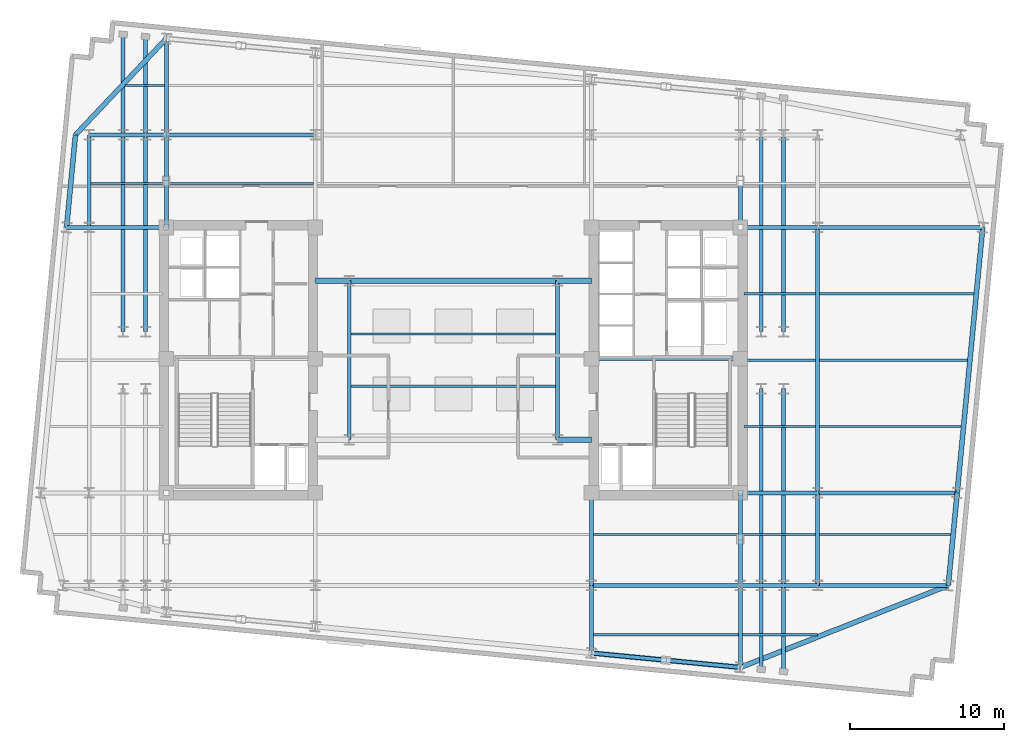
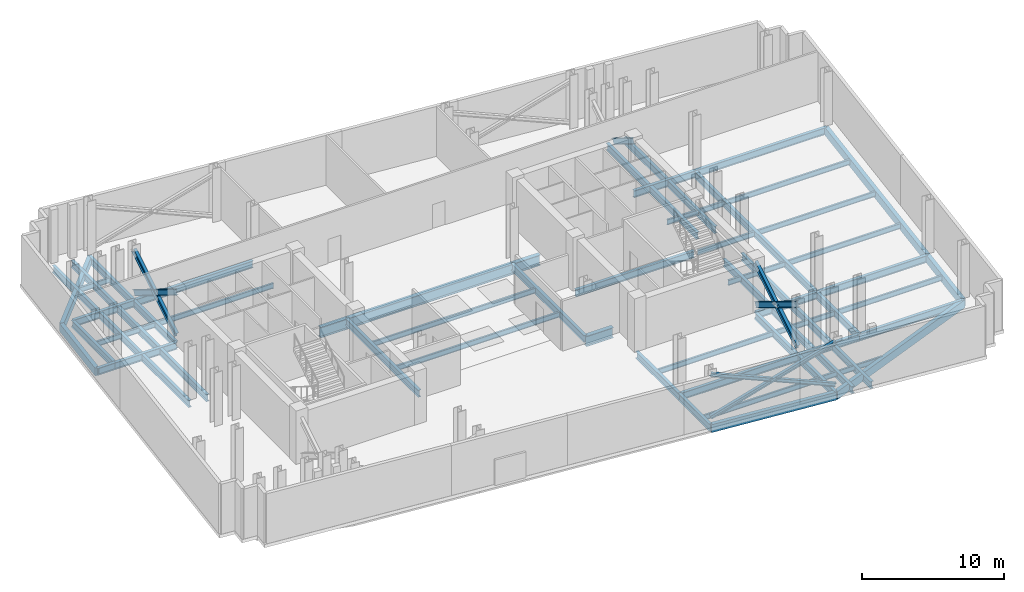
# One storey, part 2 of 8: 59 beams, 10 members.
"""IFC4 building model written with IfcOpenShell, lengths in metres."""

from ifc_helpers import new_model, si_unit, direction, frame, origin, origin_2d, place, context, subcontext, project, spatial, rectangle, i_section, extrude, material, material_profile, profile_set, type_object, element, save


model = new_model("IFC4")

# Units and contexts
model_context = context("Model", 3, precision=1e-05, world=origin(), true_north=direction((0.0, 1.0)))
body_context = subcontext(model_context, "Body", "Model", "MODEL_VIEW")
ifc_project = project(units=[si_unit("LENGTHUNIT", "METRE"), si_unit("AREAUNIT", "SQUARE_METRE"), si_unit("VOLUMEUNIT", "CUBIC_METRE"), si_unit("PLANEANGLEUNIT", "RADIAN"), si_unit("MASSUNIT", "GRAM", prefix="KILO")], contexts=[model_context])

# Site, building, storey
site_placement = place(None, origin())
site = spatial("IfcSite", under=ifc_project, at=site_placement, CompositionType="ELEMENT")
building_placement = place(site_placement, origin())
building = spatial("IfcBuilding", under=site, at=building_placement, Name="Velakula Bourse", CompositionType="ELEMENT")
storey_placement = place(building_placement, frame((0.0, 0.0, 194.89990234375)))
storey = spatial("IfcBuildingStorey", under=building, at=storey_placement, Name="L53", CompositionType="ELEMENT", Elevation=194.89990234375)

# Beams
ifc_material_1 = material(Name="Steel IS 2062 Grade 350 (E350)", Category="steel")
ifc_material_profile_1 = material_profile(ifc_material_1, i_section(OverallWidth=0.25, OverallDepth=0.60009765625, WebThickness=0.01123046875, FlangeThickness=0.021240234375, at=origin_2d()), Name="Steel IS 2062 Grade 350 (E350)")
ifc_profile_set_1 = profile_set([ifc_material_profile_1], Name="Steel IS 2062 Grade 350 (E350)")
beam_type_1 = type_object("IfcBeamType", Name="BM-GRD-600M", PredefinedType="BEAM", material=ifc_profile_set_1)
beam_1_placement = place(storey_placement, frame((8.949951171875, 0.10009765625, -0.579833984375), z_axis=(1.0, 0.0, 0.0), x_axis=(0.0, 1.0, 0.0)))
element("IfcBeam", 1, at=beam_1_placement, inside=storey, type_object=beam_type_1, Name="L53 Primary Backbone Girder CRE-M", PredefinedType="BEAM", context=body_context, shape_type="SweptSolid", body=[
    extrude(i_section(OverallWidth=0.25, OverallDepth=0.60009765625, WebThickness=0.01123046875, FlangeThickness=0.021240234375, at=origin_2d()), origin(), (0.0, 0.0, 1.0), 9.650146484375),
])
for number, where, z_axis, x_axis, name in (
    (2, (-6.75, -5.14990234375, -0.579833984375), (0.0, 1.0, 0.0), (-1.0, 0.0, 0.0), "L53 Primary Backbone Girder SPN-W"),
    (3, (6.75, -5.14990234375, -0.579833984375), (0.0, 1.0, 0.0), (-1.0, 0.0, 0.0), "L53 Primary Backbone Girder SPN-E"),
):
    element("IfcBeam", number, at=place(storey_placement, frame(where, z_axis=z_axis, x_axis=x_axis)), inside=storey, type_object=beam_type_1, Name=name, PredefinedType="BEAM", context=body_context, shape_type="SweptSolid", body=[
        extrude(i_section(OverallWidth=0.25, OverallDepth=0.60009765625, WebThickness=0.01123046875, FlangeThickness=0.021240234375, at=origin_2d()), origin(), (0.0, 0.0, 1.0), 10.2998046875),
    ])
for number, where, z_axis, x_axis, name in (
    (4, (-18.60009765625, 8.60009765625, -0.579833984375), (0.0, 1.0, 0.0), (-1.0, 0.0, 0.0), "L53 Fulcrum Grid Girder FLC-WN"),
    (5, (8.949951171875, -14.60009765625, -0.579833984375), (0.0, 1.0, 0.0), (-1.0, 0.0, 0.0), "L53 Fulcrum Grid Girder FLC-ECS"),
    (6, (18.60009765625, -14.60009765625, -0.579833984375), (0.0, 1.0, 0.0), (-1.0, 0.0, 0.0), "L53 Fulcrum Grid Girder FLC-ES"),
):
    element("IfcBeam", number, at=place(storey_placement, frame(where, z_axis=z_axis, x_axis=x_axis)), inside=storey, type_object=beam_type_1, Name=name, PredefinedType="BEAM", context=body_context, shape_type="SweptSolid", body=[
        extrude(i_section(OverallWidth=0.25, OverallDepth=0.60009765625, WebThickness=0.01123046875, FlangeThickness=0.021240234375, at=origin_2d()), origin(), (0.0, 0.0, 1.0), 6.0),
    ])
for number, where, z_axis, x_axis, name in (
    (7, (8.949951171875, -14.60009765625, -0.579833984375), (1.0, 0.0, 0.0), (0.0, 1.0, 0.0), "L53 Fulcrum Grid Girder FLC-S3"),
    (8, (-18.60009765625, 14.60009765625, -0.579833984375), (1.0, 0.0, 0.0), (0.0, 1.0, 0.0), "L53 Fulcrum Grid Girder FLC-N1"),
):
    element("IfcBeam", number, at=place(storey_placement, frame(where, z_axis=z_axis, x_axis=x_axis)), inside=storey, type_object=beam_type_1, Name=name, PredefinedType="BEAM", context=body_context, shape_type="SweptSolid", body=[
        extrude(i_section(OverallWidth=0.25, OverallDepth=0.60009765625, WebThickness=0.01123046875, FlangeThickness=0.021240234375, at=origin_2d()), origin(), (0.0, 0.0, 1.0), 9.650146484375),
    ])
for number, where, z_axis, x_axis, name in (
    (9, (-21.39990234375, 1.85009765625, -0.579833984375), (0.0, 1.0, 0.0), (-1.0, 0.0, 0.0), "L53 Fulcrum Grid Girder FLC-PNW1"),
    (10, (-19.949951171875, 1.85009765625, -0.579833984375), (0.0, 1.0, 0.0), (-1.0, 0.0, 0.0), "L53 Fulcrum Grid Girder FLC-PNW2"),
    (11, (19.949951171875, -14.60009765625, -0.579833984375), (0.0, 1.0, 0.0), (-1.0, 0.0, 0.0), "L53 Fulcrum Grid Girder FLC-PSE1"),
    (12, (19.949951171875, 1.85009765625, -0.579833984375), (0.0, 1.0, 0.0), (-1.0, 0.0, 0.0), "L53 Fulcrum Grid Girder FLC-PNE1"),
    (13, (21.39990234375, -14.60009765625, -0.579833984375), (0.0, 1.0, 0.0), (-1.0, 0.0, 0.0), "L53 Fulcrum Grid Girder FLC-PSE2"),
    (14, (21.39990234375, 1.85009765625, -0.579833984375), (0.0, 1.0, 0.0), (-1.0, 0.0, 0.0), "L53 Fulcrum Grid Girder FLC-PNE2"),
):
    element("IfcBeam", number, at=place(storey_placement, frame(where, z_axis=z_axis, x_axis=x_axis)), inside=storey, type_object=beam_type_1, Name=name, PredefinedType="BEAM", context=body_context, shape_type="SweptSolid", body=[
        extrude(i_section(OverallWidth=0.25, OverallDepth=0.60009765625, WebThickness=0.01123046875, FlangeThickness=0.021240234375, at=origin_2d()), origin(), (0.0, 0.0, 1.0), 12.75),
    ])
for number, where, z_axis, x_axis, name in (
    (15, (-23.60009765625, 8.60009765625, -0.579833984375), (1.0, 0.0, 0.0), (0.0, 1.0, 0.0), "L53 Fulcrum Grid Girder MWG-WN1"),
    (16, (-23.60009765625, 14.60009765625, -0.579833984375), (1.0, 0.0, 0.0), (0.0, 1.0, 0.0), "L53 Fulcrum Grid Girder MWG-WN2"),
):
    element("IfcBeam", number, at=place(storey_placement, frame(where, z_axis=z_axis, x_axis=x_axis)), inside=storey, type_object=beam_type_1, Name=name, PredefinedType="BEAM", context=body_context, shape_type="SweptSolid", body=[
        extrude(i_section(OverallWidth=0.25, OverallDepth=0.60009765625, WebThickness=0.01123046875, FlangeThickness=0.021240234375, at=origin_2d()), origin(), (0.0, 0.0, 1.0), 5.0),
    ])
beam_2_placement = place(storey_placement, frame((-23.60009765625, 8.60009765625, -0.579833984375), z_axis=(0.0, 1.0, 0.0), x_axis=(-1.0, 0.0, 0.0)))
element("IfcBeam", 17, at=beam_2_placement, inside=storey, type_object=beam_type_1, Name="L53 Fulcrum Grid Girder MWG-WNS3", PredefinedType="BEAM", context=body_context, shape_type="SweptSolid", body=[
    extrude(i_section(OverallWidth=0.25, OverallDepth=0.60009765625, WebThickness=0.01123046875, FlangeThickness=0.021240234375, at=origin_2d()), origin(), (0.0, 0.0, 1.0), 6.0),
])
for number, where, z_axis, x_axis, name in (
    (18, (18.60009765625, -14.60009765625, -0.579833984375), (1.0, 0.0, 0.0), (0.0, 1.0, 0.0), "L53 Fulcrum Grid Girder MWG-ES1"),
    (19, (18.60009765625, -8.60009765625, -0.579833984375), (1.0, 0.0, 0.0), (0.0, 1.0, 0.0), "L53 Fulcrum Grid Girder MWG-ES2"),
    (20, (18.60009765625, 8.60009765625, -0.579833984375), (1.0, 0.0, 0.0), (0.0, 1.0, 0.0), "L53 Fulcrum Grid Girder MWG-EN1"),
):
    element("IfcBeam", number, at=place(storey_placement, frame(where, z_axis=z_axis, x_axis=x_axis)), inside=storey, type_object=beam_type_1, Name=name, PredefinedType="BEAM", context=body_context, shape_type="SweptSolid", body=[
        extrude(i_section(OverallWidth=0.25, OverallDepth=0.60009765625, WebThickness=0.01123046875, FlangeThickness=0.021240234375, at=origin_2d()), origin(), (0.0, 0.0, 1.0), 5.0),
    ])
beam_3_placement = place(storey_placement, frame((23.60009765625, -14.60009765625, -0.579833984375), z_axis=(0.0, 1.0, 0.0), x_axis=(-1.0, 0.0, 0.0)))
element("IfcBeam", 21, at=beam_3_placement, inside=storey, type_object=beam_type_1, Name="L53 Fulcrum Grid Girder MWG-ENS1", PredefinedType="BEAM", context=body_context, shape_type="SweptSolid", body=[
    extrude(i_section(OverallWidth=0.25, OverallDepth=0.60009765625, WebThickness=0.01123046875, FlangeThickness=0.021240234375, at=origin_2d()), origin(), (0.0, 0.0, 1.0), 6.0),
])
beam_4_placement = place(storey_placement, frame((23.60009765625, -8.60009765625, -0.579833984375), z_axis=(0.0, 1.0, 0.0), x_axis=(-1.0, 0.0, 0.0)))
element("IfcBeam", 22, at=beam_4_placement, inside=storey, type_object=beam_type_1, Name="L53 Fulcrum Grid Girder MWG-ENS2", PredefinedType="BEAM", context=body_context, shape_type="SweptSolid", body=[
    extrude(i_section(OverallWidth=0.25, OverallDepth=0.60009765625, WebThickness=0.01123046875, FlangeThickness=0.021240234375, at=origin_2d()), origin(), (0.0, 0.0, 1.0), 17.2001953125),
])
beam_5_placement = place(storey_placement, frame((8.949951171875, -14.60009765625, -0.579833984375), z_axis=(0.0, -1.0, 0.0), x_axis=(1.0, 0.0, 0.0)))
element("IfcBeam", 23, at=beam_5_placement, inside=storey, type_object=beam_type_1, Name="L53 Perimeter Tie Girder S3", PredefinedType="BEAM", context=body_context, shape_type="SweptSolid", body=[
    extrude(i_section(OverallWidth=0.25, OverallDepth=0.60009765625, WebThickness=0.01123046875, FlangeThickness=0.021240234375, at=origin_2d()), origin(), (0.0, 0.0, 1.0), 4.38134765625),
])
beam_6_placement = place(storey_placement, frame((18.60009765625, -14.60009765625, -0.579833984375), z_axis=(0.0, -1.0, 0.0), x_axis=(1.0, 0.0, 0.0)))
element("IfcBeam", 24, at=beam_6_placement, inside=storey, type_object=beam_type_1, Name="L53 Perimeter Tie Girder S4", PredefinedType="BEAM", context=body_context, shape_type="SweptSolid", body=[
    extrude(i_section(OverallWidth=0.25, OverallDepth=0.60009765625, WebThickness=0.01123046875, FlangeThickness=0.021240234375, at=origin_2d()), origin(), (0.0, 0.0, 1.0), 5.310546875),
])
beam_7_placement = place(storey_placement, frame((-18.60009765625, 14.60009765625, -0.579833984375), z_axis=(0.0, 1.0, 0.0), x_axis=(-1.0, 0.0, 0.0)))
element("IfcBeam", 25, at=beam_7_placement, inside=storey, type_object=beam_type_1, Name="L53 Perimeter Tie Girder N1", PredefinedType="BEAM", context=body_context, shape_type="SweptSolid", body=[
    extrude(i_section(OverallWidth=0.25, OverallDepth=0.60009765625, WebThickness=0.01123046875, FlangeThickness=0.021240234375, at=origin_2d()), origin(), (0.0, 0.0, 1.0), 6.2421875),
])
beam_8_placement = place(storey_placement, frame((-23.60009765625, 8.60009765625, -0.579833984375), z_axis=(-1.0, 0.0, 0.0), x_axis=(0.0, -1.0, 0.0)))
element("IfcBeam", 26, at=beam_8_placement, inside=storey, type_object=beam_type_1, Name="L53 Perimeter Tie Girder W3", PredefinedType="BEAM", context=body_context, shape_type="SweptSolid", body=[
    extrude(i_section(OverallWidth=0.25, OverallDepth=0.60009765625, WebThickness=0.01123046875, FlangeThickness=0.021240234375, at=origin_2d()), origin(), (0.0, 0.0, 1.0), 1.468017578125),
])
beam_9_placement = place(storey_placement, frame((23.60009765625, -14.60009765625, -0.579833984375), z_axis=(1.0, 0.0, 0.0), x_axis=(0.0, 1.0, 0.0)))
element("IfcBeam", 27, at=beam_9_placement, inside=storey, type_object=beam_type_1, Name="L53 Perimeter Tie Girder E1", PredefinedType="BEAM", context=body_context, shape_type="SweptSolid", body=[
    extrude(i_section(OverallWidth=0.25, OverallDepth=0.60009765625, WebThickness=0.01123046875, FlangeThickness=0.021240234375, at=origin_2d()), origin(), (0.0, 0.0, 1.0), 8.47119140625),
])
beam_10_placement = place(storey_placement, frame((23.60009765625, -8.60009765625, -0.579833984375), z_axis=(1.0, 0.0, 0.0), x_axis=(0.0, 1.0, 0.0)))
element("IfcBeam", 28, at=beam_10_placement, inside=storey, type_object=beam_type_1, Name="L53 Perimeter Tie Girder E2", PredefinedType="BEAM", context=body_context, shape_type="SweptSolid", body=[
    extrude(i_section(OverallWidth=0.25, OverallDepth=0.60009765625, WebThickness=0.01123046875, FlangeThickness=0.021240234375, at=origin_2d()), origin(), (0.0, 0.0, 1.0), 9.048828125),
])
beam_11_placement = place(storey_placement, frame((23.60009765625, 8.60009765625, -0.579833984375), z_axis=(1.0, 0.0, 0.0), x_axis=(0.0, 1.0, 0.0)))
element("IfcBeam", 29, at=beam_11_placement, inside=storey, type_object=beam_type_1, Name="L53 Perimeter Tie Girder E3", PredefinedType="BEAM", context=body_context, shape_type="SweptSolid", body=[
    extrude(i_section(OverallWidth=0.25, OverallDepth=0.60009765625, WebThickness=0.01123046875, FlangeThickness=0.021240234375, at=origin_2d()), origin(), (0.0, 0.0, 1.0), 10.705078125),
])
beam_12_placement = place(storey_placement, frame((19.949951171875, -14.60009765625, -0.579833984375), z_axis=(0.0, -1.0, 0.0), x_axis=(1.0, 0.0, 0.0)))
element("IfcBeam", 30, at=beam_12_placement, inside=storey, type_object=beam_type_1, Name="L53 Perimeter Tie Girder P03", PredefinedType="BEAM", context=body_context, shape_type="SweptSolid", body=[
    extrude(i_section(OverallWidth=0.25, OverallDepth=0.60009765625, WebThickness=0.01123046875, FlangeThickness=0.021240234375, at=origin_2d()), origin(), (0.0, 0.0, 1.0), 5.4404296875),
])
beam_13_placement = place(storey_placement, frame((21.39990234375, -14.60009765625, -0.579833984375), z_axis=(0.0, -1.0, 0.0), x_axis=(1.0, 0.0, 0.0)))
element("IfcBeam", 31, at=beam_13_placement, inside=storey, type_object=beam_type_1, Name="L53 Perimeter Tie Girder P04", PredefinedType="BEAM", context=body_context, shape_type="SweptSolid", body=[
    extrude(i_section(OverallWidth=0.25, OverallDepth=0.60009765625, WebThickness=0.01123046875, FlangeThickness=0.021240234375, at=origin_2d()), origin(), (0.0, 0.0, 1.0), 5.580322265625),
])
beam_14_placement = place(storey_placement, frame((-21.39990234375, 14.60009765625, -0.579833984375), z_axis=(0.0, 1.0, 0.0), x_axis=(-1.0, 0.0, 0.0)))
element("IfcBeam", 32, at=beam_14_placement, inside=storey, type_object=beam_type_1, Name="L53 Perimeter Tie Girder P05", PredefinedType="BEAM", context=body_context, shape_type="SweptSolid", body=[
    extrude(i_section(OverallWidth=0.25, OverallDepth=0.60009765625, WebThickness=0.01123046875, FlangeThickness=0.021240234375, at=origin_2d()), origin(), (0.0, 0.0, 1.0), 6.511962890625),
])
beam_15_placement = place(storey_placement, frame((-19.949951171875, 14.60009765625, -0.579833984375), z_axis=(0.0, 1.0, 0.0), x_axis=(-1.0, 0.0, 0.0)))
element("IfcBeam", 33, at=beam_15_placement, inside=storey, type_object=beam_type_1, Name="L53 Perimeter Tie Girder P06", PredefinedType="BEAM", context=body_context, shape_type="SweptSolid", body=[
    extrude(i_section(OverallWidth=0.25, OverallDepth=0.60009765625, WebThickness=0.01123046875, FlangeThickness=0.021240234375, at=origin_2d()), origin(), (0.0, 0.0, 1.0), 6.372314453125),
])
ifc_material_profile_2 = material_profile(ifc_material_1, i_section(OverallWidth=0.35009765625, OverallDepth=0.89990234375, WebThickness=0.02001953125, FlangeThickness=0.031982421875, at=origin_2d()), Name="Steel IS 2062 Grade 350 (E350)")
ifc_profile_set_2 = profile_set([ifc_material_profile_2], Name="Steel IS 2062 Grade 350 (E350)")
beam_type_2 = type_object("IfcBeamType", Name="BM-LNK-900", PredefinedType="BEAM", material=ifc_profile_set_2)
for number, where, z_axis, x_axis, name in (
    (34, (6.75, -5.14990234375, -0.72998046875), (1.0, 0.0, 0.0), (0.0, 1.0, 0.0), "L53 Primary Backbone Girder LNK-S3"),
    (35, (-8.949951171875, 5.14990234375, -0.72998046875), (1.0, 0.0, 0.0), (0.0, 1.0, 0.0), "L53 Primary Backbone Girder LNK-N1"),
):
    element("IfcBeam", number, at=place(storey_placement, frame(where, z_axis=z_axis, x_axis=x_axis)), inside=storey, type_object=beam_type_2, Name=name, PredefinedType="BEAM", context=body_context, shape_type="SweptSolid", body=[
        extrude(i_section(OverallWidth=0.35009765625, OverallDepth=0.89990234375, WebThickness=0.02001953125, FlangeThickness=0.031982421875, at=origin_2d()), origin(), (0.0, 0.0, 1.0), 2.199951171875),
    ])
beam_16_placement = place(storey_placement, frame((-6.75, 5.14990234375, -0.72998046875), z_axis=(1.0, 0.0, 0.0), x_axis=(0.0, 1.0, 0.0)))
element("IfcBeam", 36, at=beam_16_placement, inside=storey, type_object=beam_type_2, Name="L53 Primary Backbone Girder LNK-N2", PredefinedType="BEAM", context=body_context, shape_type="SweptSolid", body=[
    extrude(i_section(OverallWidth=0.35009765625, OverallDepth=0.89990234375, WebThickness=0.02001953125, FlangeThickness=0.031982421875, at=origin_2d()), origin(), (0.0, 0.0, 1.0), 13.5),
])
beam_17_placement = place(storey_placement, frame((6.75, 5.14990234375, -0.72998046875), z_axis=(1.0, 0.0, 0.0), x_axis=(0.0, 1.0, 0.0)))
element("IfcBeam", 37, at=beam_17_placement, inside=storey, type_object=beam_type_2, Name="L53 Primary Backbone Girder LNK-N3", PredefinedType="BEAM", context=body_context, shape_type="SweptSolid", body=[
    extrude(i_section(OverallWidth=0.35009765625, OverallDepth=0.89990234375, WebThickness=0.02001953125, FlangeThickness=0.031982421875, at=origin_2d()), origin(), (0.0, 0.0, 1.0), 2.199951171875),
])

# Members
ifc_material_profile_3 = material_profile(ifc_material_1, i_section(OverallWidth=0.25, OverallDepth=0.300048828125, WebThickness=0.009521484375, FlangeThickness=0.010498046875, at=origin_2d()), Name="Steel IS 2062 Grade 350 (E350)")
ifc_profile_set_3 = profile_set([ifc_material_profile_3], Name="Steel IS 2062 Grade 350 (E350)")
member_type_1 = type_object("IfcMemberType", Name="BR-BLT-300", PredefinedType="BRACE", material=ifc_profile_set_3)
member_1_placement = place(storey_placement, frame((8.949951171875, -18.9814453125, 0.300048828125), z_axis=(0.930920935932, -0.089637085591, 0.35405000202), x_axis=(0.095845323155, 0.99539623971, 0.0)))
element("IfcMember", 38, at=member_1_placement, inside=storey, type_object=member_type_1, Name="L53 Continuous Outrigger and Belt X-Brace BT-S3", PredefinedType="BRACE", context=body_context, shape_type="SweptSolid", body=[
    extrude(i_section(OverallWidth=0.25, OverallDepth=0.300048828125, WebThickness=0.009521484375, FlangeThickness=0.010498046875, at=origin_2d()), origin(), (0.0, 0.0, 1.0), 10.3662109375),
])
for number, where, z_axis, x_axis, name in (
    (39, (18.60009765625, -19.91064453125, 0.300048828125), (-0.930928983109, 0.08965577102, 0.354024110945), (-0.095864298069, -0.99539441246, 0.0), "L53 Split X-Brace Lower Segment BT-S4A"),
    (40, (13.644775390625, -19.43359375, 2.1845703125), (-0.930913027801, 0.089654234399, 0.354066452696), (-0.095864298069, -0.99539441246, 0.0), "L53 Split X-Brace Upper Segment BT-S4B"),
):
    element("IfcMember", number, at=place(storey_placement, frame(where, z_axis=z_axis, x_axis=x_axis)), inside=storey, type_object=member_type_1, Name=name, PredefinedType="BRACE", context=body_context, shape_type="SweptSolid", body=[
        extrude(i_section(OverallWidth=0.25, OverallDepth=0.300048828125, WebThickness=0.009521484375, FlangeThickness=0.010498046875, at=origin_2d()), origin(), (0.0, 0.0, 1.0), 5.043212890625),
    ])
ifc_material_profile_4 = material_profile(ifc_material_1, i_section(OverallWidth=0.25, OverallDepth=0.449951171875, WebThickness=0.01123046875, FlangeThickness=0.013671875, at=origin_2d()), Name="Steel IS 2062 Grade 350 (E350)")
ifc_profile_set_4 = profile_set([ifc_material_profile_4], Name="Steel IS 2062 Grade 350 (E350)")
member_type_2 = type_object("IfcMemberType", Name="BR-OTR-450", PredefinedType="BRACE", material=ifc_profile_set_4)
member_2_placement = place(storey_placement, frame((-18.60009765625, 8.60009765625, 0.300048828125), z_axis=(0.0, 0.853060385643, 0.521812206111), x_axis=(-1.0, 0.0, 0.0)))
element("IfcMember", 41, at=member_2_placement, inside=storey, type_object=member_type_2, Name="L53 Continuous Outrigger and Belt X-Brace OT-NS3", PredefinedType="BRACE", context=body_context, shape_type="SweptSolid", body=[
    extrude(i_section(OverallWidth=0.25, OverallDepth=0.449951171875, WebThickness=0.01123046875, FlangeThickness=0.013671875, at=origin_2d()), origin(), (0.0, 0.0, 1.0), 7.033447265625),
])
member_3_placement = place(storey_placement, frame((-18.60009765625, 14.60009765625, 0.300048828125), z_axis=(0.0, -0.853072662482, 0.521792135362), x_axis=(1.0, 0.0, 0.0)))
element("IfcMember", 42, at=member_3_placement, inside=storey, type_object=member_type_2, Name="L53 Split X-Brace Lower Segment OT-NS4A", PredefinedType="BRACE", context=body_context, shape_type="SweptSolid", body=[
    extrude(i_section(OverallWidth=0.25, OverallDepth=0.449951171875, WebThickness=0.01123046875, FlangeThickness=0.013671875, at=origin_2d()), origin(), (0.0, 0.0, 1.0), 3.376708984375),
])
member_4_placement = place(storey_placement, frame((-18.60009765625, 11.48046875, 2.208251953125), z_axis=(0.0, -0.85305297564, 0.521824319816), x_axis=(1.0, 0.0, 0.0)))
element("IfcMember", 43, at=member_4_placement, inside=storey, type_object=member_type_2, Name="L53 Split X-Brace Upper Segment OT-NS4B", PredefinedType="BRACE", context=body_context, shape_type="SweptSolid", body=[
    extrude(i_section(OverallWidth=0.25, OverallDepth=0.449951171875, WebThickness=0.01123046875, FlangeThickness=0.013671875, at=origin_2d()), origin(), (0.0, 0.0, 1.0), 3.37646484375),
])
member_5_placement = place(storey_placement, frame((18.60009765625, -8.60009765625, 0.300048828125), z_axis=(0.0, -0.853060385643, 0.521812206111), x_axis=(1.0, 0.0, 0.0)))
element("IfcMember", 44, at=member_5_placement, inside=storey, type_object=member_type_2, Name="L53 Continuous Outrigger and Belt X-Brace OT-NS5", PredefinedType="BRACE", context=body_context, shape_type="SweptSolid", body=[
    extrude(i_section(OverallWidth=0.25, OverallDepth=0.449951171875, WebThickness=0.01123046875, FlangeThickness=0.013671875, at=origin_2d()), origin(), (0.0, 0.0, 1.0), 7.033447265625),
])
member_6_placement = place(storey_placement, frame((18.60009765625, -14.60009765625, 0.300048828125), z_axis=(0.0, 0.853072662482, 0.521792135362), x_axis=(-1.0, 0.0, 0.0)))
element("IfcMember", 45, at=member_6_placement, inside=storey, type_object=member_type_2, Name="L53 Split X-Brace Lower Segment OT-NS6A", PredefinedType="BRACE", context=body_context, shape_type="SweptSolid", body=[
    extrude(i_section(OverallWidth=0.25, OverallDepth=0.449951171875, WebThickness=0.01123046875, FlangeThickness=0.013671875, at=origin_2d()), origin(), (0.0, 0.0, 1.0), 3.376708984375),
])
for number, where, z_axis, x_axis, name in (
    (46, (18.60009765625, -11.48046875, 2.208251953125), (0.0, 0.85305297564, 0.521824319816), (-1.0, 0.0, 0.0), "L53 Split X-Brace Upper Segment OT-NS6B"),
    (47, (18.60009765625, 11.48046875, 2.208251953125), (0.0, -0.85305297564, 0.521824319816), (1.0, 0.0, 0.0), "L53 Split X-Brace Upper Segment OT-NS8B"),
):
    element("IfcMember", number, at=place(storey_placement, frame(where, z_axis=z_axis, x_axis=x_axis)), inside=storey, type_object=member_type_2, Name=name, PredefinedType="BRACE", context=body_context, shape_type="SweptSolid", body=[
        extrude(i_section(OverallWidth=0.25, OverallDepth=0.449951171875, WebThickness=0.01123046875, FlangeThickness=0.013671875, at=origin_2d()), origin(), (0.0, 0.0, 1.0), 3.37646484375),
    ])

# Beams
ifc_material_profile_5 = material_profile(ifc_material_1, i_section(OverallWidth=0.14990234375, OverallDepth=0.449951171875, WebThickness=0.009521484375, FlangeThickness=0.017333984375, at=origin_2d()), Name="Steel IS 2062 Grade 350 (E350)")
ifc_profile_set_5 = profile_set([ifc_material_profile_5], Name="Steel IS 2062 Grade 350 (E350)")
beam_type_3 = type_object("IfcBeamType", Name="JST-TWR-450", PredefinedType="JOIST", material=ifc_profile_set_5)
beam_18_placement = place(storey_placement, frame((9.074951171875, -17.800048828125, -0.5048828125), z_axis=(1.0, 0.0, 0.0), x_axis=(0.0, 1.0, 0.0)))
element("IfcBeam", 48, at=beam_18_placement, inside=storey, type_object=beam_type_3, Name="L53 Trading Floor Composite Joist 02", PredefinedType="JOIST", context=body_context, shape_type="SweptSolid", body=[
    extrude(i_section(OverallWidth=0.14990234375, OverallDepth=0.449951171875, WebThickness=0.009521484375, FlangeThickness=0.017333984375, at=origin_2d()), origin(), (0.0, 0.0, 1.0), 9.400146484375),
])
beam_19_placement = place(storey_placement, frame((18.72509765625, -17.800048828125, -0.5048828125), z_axis=(1.0, 0.0, 0.0), x_axis=(0.0, 1.0, 0.0)))
element("IfcBeam", 49, at=beam_19_placement, inside=storey, type_object=beam_type_3, Name="L53 Trading Floor Composite Joist 03", PredefinedType="JOIST", context=body_context, shape_type="SweptSolid", body=[
    extrude(i_section(OverallWidth=0.14990234375, OverallDepth=0.449951171875, WebThickness=0.009521484375, FlangeThickness=0.017333984375, at=origin_2d()), origin(), (0.0, 0.0, 1.0), 4.875),
])
beam_20_placement = place(storey_placement, frame((9.074951171875, -11.300048828125, -0.5048828125), z_axis=(1.0, 0.0, 0.0), x_axis=(0.0, 1.0, 0.0)))
element("IfcBeam", 50, at=beam_20_placement, inside=storey, type_object=beam_type_3, Name="L53 Trading Floor Composite Joist 08", PredefinedType="JOIST", context=body_context, shape_type="SweptSolid", body=[
    extrude(i_section(OverallWidth=0.14990234375, OverallDepth=0.449951171875, WebThickness=0.009521484375, FlangeThickness=0.017333984375, at=origin_2d()), origin(), (0.0, 0.0, 1.0), 9.400146484375),
])
beam_21_placement = place(storey_placement, frame((18.72509765625, -11.300048828125, -0.5048828125), z_axis=(1.0, 0.0, 0.0), x_axis=(0.0, 1.0, 0.0)))
element("IfcBeam", 51, at=beam_21_placement, inside=storey, type_object=beam_type_3, Name="L53 Trading Floor Composite Joist 09", PredefinedType="JOIST", context=body_context, shape_type="SweptSolid", body=[
    extrude(i_section(OverallWidth=0.14990234375, OverallDepth=0.449951171875, WebThickness=0.009521484375, FlangeThickness=0.017333984375, at=origin_2d()), origin(), (0.0, 0.0, 1.0), 4.75),
])
beam_22_placement = place(storey_placement, frame((23.72509765625, -11.300048828125, -0.5048828125), z_axis=(1.0, 0.0, 0.0), x_axis=(0.0, 1.0, 0.0)))
element("IfcBeam", 52, at=beam_22_placement, inside=storey, type_object=beam_type_3, Name="L53 Trading Floor Composite Joist 10", PredefinedType="JOIST", context=body_context, shape_type="SweptSolid", body=[
    extrude(i_section(OverallWidth=0.14990234375, OverallDepth=0.449951171875, WebThickness=0.009521484375, FlangeThickness=0.017333984375, at=origin_2d()), origin(), (0.0, 0.0, 1.0), 8.503173828125),
])
beam_23_placement = place(storey_placement, frame((-23.47509765625, 11.449951171875, -0.5048828125), z_axis=(1.0, 0.0, 0.0), x_axis=(0.0, 1.0, 0.0)))
element("IfcBeam", 53, at=beam_23_placement, inside=storey, type_object=beam_type_3, Name="L53 Trading Floor Composite Joist 11", PredefinedType="JOIST", context=body_context, shape_type="SweptSolid", body=[
    extrude(i_section(OverallWidth=0.14990234375, OverallDepth=0.449951171875, WebThickness=0.009521484375, FlangeThickness=0.017333984375, at=origin_2d()), origin(), (0.0, 0.0, 1.0), 4.75),
])
beam_24_placement = place(storey_placement, frame((-18.47509765625, 11.449951171875, -0.5048828125), z_axis=(1.0, 0.0, 0.0), x_axis=(0.0, 1.0, 0.0)))
element("IfcBeam", 54, at=beam_24_placement, inside=storey, type_object=beam_type_3, Name="L53 Trading Floor Composite Joist 12", PredefinedType="JOIST", context=body_context, shape_type="SweptSolid", body=[
    extrude(i_section(OverallWidth=0.14990234375, OverallDepth=0.449951171875, WebThickness=0.009521484375, FlangeThickness=0.017333984375, at=origin_2d()), origin(), (0.0, 0.0, 1.0), 9.400146484375),
])
beam_25_placement = place(storey_placement, frame((-21.2509765625, 17.800048828125, -0.5048828125), z_axis=(1.0, 0.0, 0.0), x_axis=(0.0, 1.0, 0.0)))
element("IfcBeam", 55, at=beam_25_placement, inside=storey, type_object=beam_type_3, Name="L53 Trading Floor Composite Joist 17", PredefinedType="JOIST", context=body_context, shape_type="SweptSolid", body=[
    extrude(i_section(OverallWidth=0.14990234375, OverallDepth=0.449951171875, WebThickness=0.009521484375, FlangeThickness=0.017333984375, at=origin_2d()), origin(), (0.0, 0.0, 1.0), 2.52587890625),
])
for number, where, z_axis, x_axis, name in (
    (56, (-6.625, -1.699951171875, -0.5048828125), (1.0, 0.0, 0.0), (0.0, 1.0, 0.0), "L53 Trading Floor Composite Joist 21"),
    (57, (-6.625, 1.699951171875, -0.5048828125), (1.0, 0.0, 0.0), (0.0, 1.0, 0.0), "L53 Trading Floor Composite Joist 22"),
):
    element("IfcBeam", number, at=place(storey_placement, frame(where, z_axis=z_axis, x_axis=x_axis)), inside=storey, type_object=beam_type_3, Name=name, PredefinedType="JOIST", context=body_context, shape_type="SweptSolid", body=[
        extrude(i_section(OverallWidth=0.14990234375, OverallDepth=0.449951171875, WebThickness=0.009521484375, FlangeThickness=0.017333984375, at=origin_2d()), origin(), (0.0, 0.0, 1.0), 13.25),
    ])
beam_26_placement = place(storey_placement, frame((18.85009765625, -4.300048828125, -0.5048828125), z_axis=(1.0, 0.0, 0.0), x_axis=(0.0, 1.0, 0.0)))
element("IfcBeam", 58, at=beam_26_placement, inside=storey, type_object=beam_type_3, Name="L53 Trading Floor Composite Joist 25", PredefinedType="JOIST", context=body_context, shape_type="SweptSolid", body=[
    extrude(i_section(OverallWidth=0.14990234375, OverallDepth=0.449951171875, WebThickness=0.009521484375, FlangeThickness=0.017333984375, at=origin_2d()), origin(), (0.0, 0.0, 1.0), 4.625),
])
beam_27_placement = place(storey_placement, frame((23.72509765625, -4.300048828125, -0.5048828125), z_axis=(1.0, 0.0, 0.0), x_axis=(0.0, 1.0, 0.0)))
element("IfcBeam", 59, at=beam_27_placement, inside=storey, type_object=beam_type_3, Name="L53 Trading Floor Composite Joist 26", PredefinedType="JOIST", context=body_context, shape_type="SweptSolid", body=[
    extrude(i_section(OverallWidth=0.14990234375, OverallDepth=0.449951171875, WebThickness=0.009521484375, FlangeThickness=0.017333984375, at=origin_2d()), origin(), (0.0, 0.0, 1.0), 9.17724609375),
])
beam_28_placement = place(storey_placement, frame((18.85009765625, 0.0, -0.5048828125), z_axis=(1.0, 0.0, 0.0), x_axis=(0.0, 1.0, 0.0)))
element("IfcBeam", 60, at=beam_28_placement, inside=storey, type_object=beam_type_3, Name="L53 Trading Floor Composite Joist 29", PredefinedType="JOIST", context=body_context, shape_type="SweptSolid", body=[
    extrude(i_section(OverallWidth=0.14990234375, OverallDepth=0.449951171875, WebThickness=0.009521484375, FlangeThickness=0.017333984375, at=origin_2d()), origin(), (0.0, 0.0, 1.0), 4.625),
])
beam_29_placement = place(storey_placement, frame((23.72509765625, 0.0, -0.5048828125), z_axis=(1.0, 0.0, 0.0), x_axis=(0.0, 1.0, 0.0)))
element("IfcBeam", 61, at=beam_29_placement, inside=storey, type_object=beam_type_3, Name="L53 Trading Floor Composite Joist 30", PredefinedType="JOIST", context=body_context, shape_type="SweptSolid", body=[
    extrude(i_section(OverallWidth=0.14990234375, OverallDepth=0.449951171875, WebThickness=0.009521484375, FlangeThickness=0.017333984375, at=origin_2d()), origin(), (0.0, 0.0, 1.0), 9.59130859375),
])
beam_30_placement = place(storey_placement, frame((18.85009765625, 4.300048828125, -0.5048828125), z_axis=(1.0, 0.0, 0.0), x_axis=(0.0, 1.0, 0.0)))
element("IfcBeam", 62, at=beam_30_placement, inside=storey, type_object=beam_type_3, Name="L53 Trading Floor Composite Joist 32", PredefinedType="JOIST", context=body_context, shape_type="SweptSolid", body=[
    extrude(i_section(OverallWidth=0.14990234375, OverallDepth=0.449951171875, WebThickness=0.009521484375, FlangeThickness=0.017333984375, at=origin_2d()), origin(), (0.0, 0.0, 1.0), 4.625),
])
beam_31_placement = place(storey_placement, frame((23.72509765625, 4.300048828125, -0.5048828125), z_axis=(1.0, 0.0, 0.0), x_axis=(0.0, 1.0, 0.0)))
element("IfcBeam", 63, at=beam_31_placement, inside=storey, type_object=beam_type_3, Name="L53 Trading Floor Composite Joist 33", PredefinedType="JOIST", context=body_context, shape_type="SweptSolid", body=[
    extrude(i_section(OverallWidth=0.14990234375, OverallDepth=0.449951171875, WebThickness=0.009521484375, FlangeThickness=0.017333984375, at=origin_2d()), origin(), (0.0, 0.0, 1.0), 10.005126953125),
])
ifc_material_2 = material(Name="Precast concrete M45 (fck 45 MPa)", Category="concrete")
ifc_material_profile_6 = material_profile(ifc_material_2, rectangle(XDim=0.320068359375, YDim=0.679931640625, at=origin_2d()), Name="Precast concrete M45 (fck 45 MPa)")
ifc_profile_set_6 = profile_set([ifc_material_profile_6], Name="Precast concrete M45 (fck 45 MPa)")
beam_type_4 = type_object("IfcBeamType", Name="SPN-BRICK-680", PredefinedType="SPANDREL", material=ifc_profile_set_6)
beam_32_placement = place(storey_placement, frame((8.949951171875, -18.9814453125, -0.619873046875), z_axis=(0.99539623971, -0.095845323155, 0.0), x_axis=(0.095845323155, 0.99539623971, 0.0)))
element("IfcBeam", 64, at=beam_32_placement, inside=storey, type_object=beam_type_4, Name="L53 Brick-Faced Precast Spandrel S3-S4", PredefinedType="SPANDREL", context=body_context, shape_type="SweptSolid", body=[
    extrude(rectangle(XDim=0.320068359375, YDim=0.679931640625, at=origin_2d()), origin(), (0.0, 0.0, 1.0), 9.69482421875),
])
for number, where, z_axis, x_axis, name in (
    (65, (-25.068115234375, 8.60009765625, -0.619873046875), (0.095829714309, 0.995397742541, 0.0), (-0.995397742541, 0.095829714309, 0.0), "L53 Brick-Faced Precast Spandrel W3-W4"),
    (66, (32.0712890625, -14.60009765625, -0.619873046875), (0.095829714309, 0.995397742541, 0.0), (-0.995397742541, 0.095829714309, 0.0), "L53 Brick-Faced Precast Spandrel E1-E2"),
):
    element("IfcBeam", number, at=place(storey_placement, frame(where, z_axis=z_axis, x_axis=x_axis)), inside=storey, type_object=beam_type_4, Name=name, PredefinedType="SPANDREL", context=body_context, shape_type="SweptSolid", body=[
        extrude(rectangle(XDim=0.320068359375, YDim=0.679931640625, at=origin_2d()), origin(), (0.0, 0.0, 1.0), 6.02783203125),
    ])
beam_33_placement = place(storey_placement, frame((32.64892578125, -8.60009765625, -0.619873046875), z_axis=(0.095849167925, 0.995395869495, 0.0), x_axis=(-0.995395869495, 0.095849167925, 0.0)))
element("IfcBeam", 67, at=beam_33_placement, inside=storey, type_object=beam_type_4, Name="L53 Brick-Faced Precast Spandrel E2-E3", PredefinedType="SPANDREL", context=body_context, shape_type="SweptSolid", body=[
    extrude(rectangle(XDim=0.320068359375, YDim=0.679931640625, at=origin_2d()), origin(), (0.0, 0.0, 1.0), 17.27978515625),
])
beam_34_placement = place(storey_placement, frame((18.60009765625, -19.91064453125, -0.619873046875), z_axis=(0.930320901537, 0.366746533949, 0.0), x_axis=(-0.366746533949, 0.930320901537, 0.0)))
element("IfcBeam", 68, at=beam_34_placement, inside=storey, type_object=beam_type_4, Name="L53 Brick-Faced Precast Spandrel S4-E1", PredefinedType="SPANDREL", context=body_context, shape_type="SweptSolid", body=[
    extrude(rectangle(XDim=0.320068359375, YDim=0.679931640625, at=origin_2d()), origin(), (0.0, 0.0, 1.0), 14.480224609375),
])
beam_35_placement = place(storey_placement, frame((-18.60009765625, 20.84228515625, -0.619873046875), z_axis=(-0.686314417505, -0.727304970645, 0.0), x_axis=(0.727304970645, -0.686314417505, 0.0)))
element("IfcBeam", 69, at=beam_35_placement, inside=storey, type_object=beam_type_4, Name="L53 Brick-Faced Precast Spandrel N1-W4", PredefinedType="SPANDREL", context=body_context, shape_type="SweptSolid", body=[
    extrude(rectangle(XDim=0.320068359375, YDim=0.679931640625, at=origin_2d()), origin(), (0.0, 0.0, 1.0), 8.58251953125),
])

save(model, "model.ifc")
